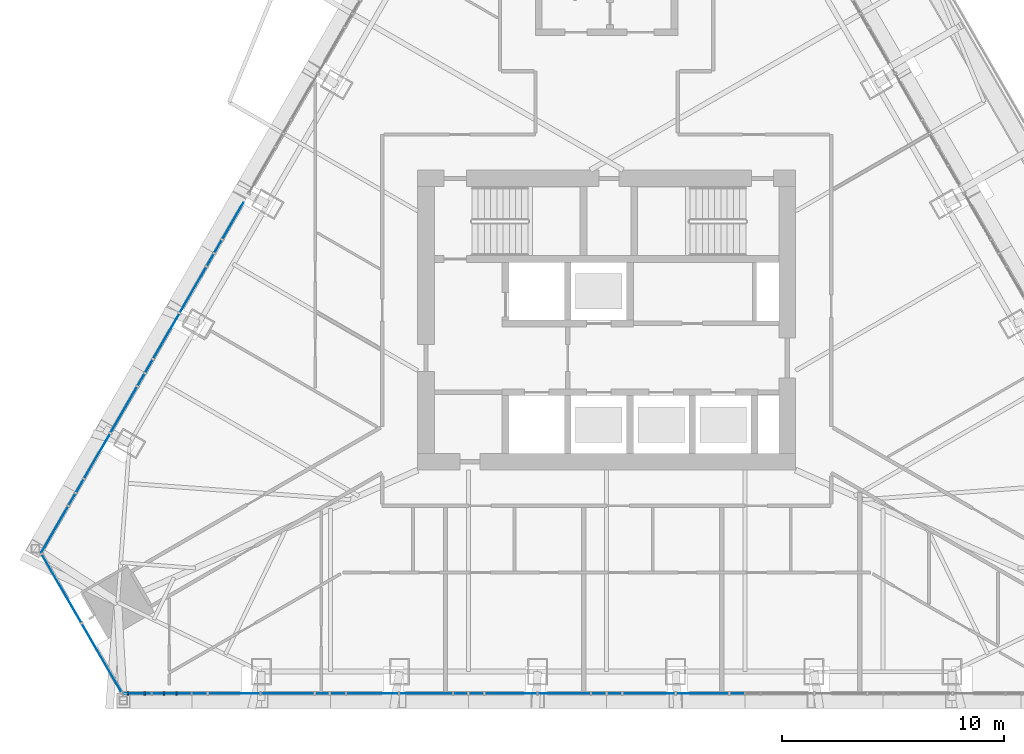
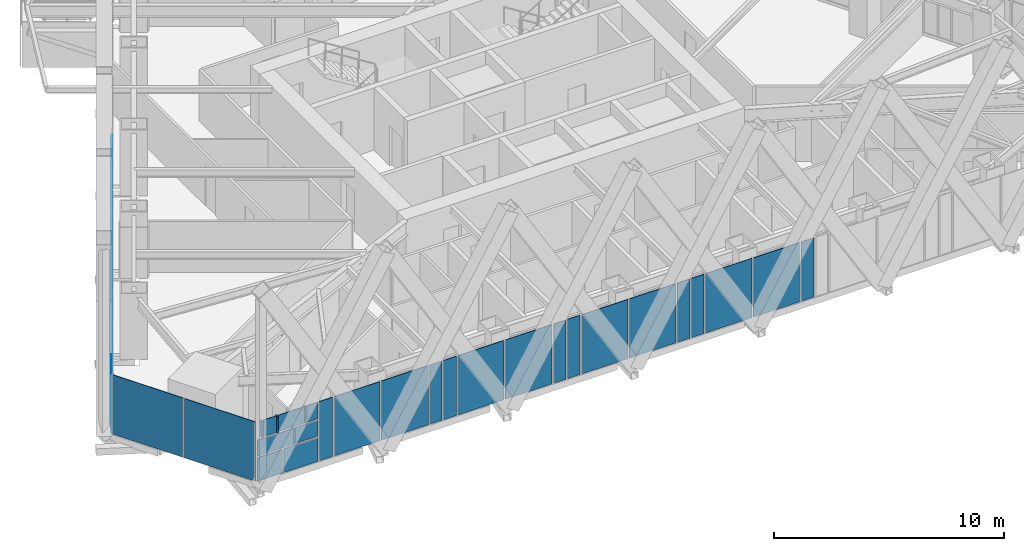
# One storey, part 9 of 23: 37 plates, 4 members, 3 elements without a shape of their own.
"""IFC4 building model written with IfcOpenShell, lengths in metres."""

from ifc_helpers import new_model, si_unit, direction, frame, origin, origin_2d, place, context, subcontext, project, spatial, polyline, rectangle, outline, extrude, material, layer, layer_set, material_profile, profile_set, type_object, element, aggregate, save


model = new_model("IFC4")

# Units and contexts
model_context = context("Model", 3, precision=1e-05, world=origin(), true_north=direction((0.0, 1.0)))
body_context = subcontext(model_context, "Body", "Model", "MODEL_VIEW")
ifc_project = project(units=[si_unit("LENGTHUNIT", "METRE"), si_unit("AREAUNIT", "SQUARE_METRE"), si_unit("VOLUMEUNIT", "CUBIC_METRE"), si_unit("PLANEANGLEUNIT", "RADIAN"), si_unit("MASSUNIT", "GRAM", prefix="KILO")], contexts=[model_context])

# Site, building, storey
site_placement = place(None, origin())
site = spatial("IfcSite", under=ifc_project, at=site_placement, CompositionType="ELEMENT")
building_placement = place(site_placement, origin())
building = spatial("IfcBuilding", under=site, at=building_placement, Name="Firuza Gate Tower and Library", CompositionType="ELEMENT")
storey_placement = place(building_placement, frame((0.0, 0.0, 291.60009765625)))
storey = spatial("IfcBuildingStorey", under=building, at=storey_placement, Name="L70", CompositionType="ELEMENT", Elevation=291.60009765625)

# Curtain wall, members
ifc_material_1 = material(Name="Aluminium 6063-T6", Category="aluminium")
ifc_layer_1 = layer(ifc_material_1, 0.14990234375)
ifc_layer_set_1 = layer_set([ifc_layer_1], Name="Unitised curtain wall, residences")
curtain_wall_type_1 = type_object("IfcCurtainWallType", Name="Unitised curtain wall, residences", PredefinedType="NOTDEFINED", material=ifc_layer_set_1)
placement = place(storey_placement, origin())
curtain_wall_1 = element("IfcCurtainWall", 1, at=placement, inside=storey, type_object=curtain_wall_type_1, Name="CW3 L70 S face", PredefinedType="NOTDEFINED")
ifc_material_2 = material(Name="Aluminium 6063-T6", Category="aluminium")
ifc_material_profile = material_profile(ifc_material_2, rectangle(XDim=0.14990234375, YDim=0.080078125, at=origin_2d()))
ifc_profile_set = profile_set([ifc_material_profile], Name="Aluminium 6063-T6")
member_type = type_object("IfcMemberType", Name="Curtain wall mullion 80x150", PredefinedType="MULLION", material=ifc_profile_set)
member_1_placement = place(storey_placement, frame((55.086669921875, 58.212646484375, 1.489990234375), z_axis=(0.0, 0.0, 1.0), x_axis=(0.0, 1.0, 0.0)))
member_1 = element("IfcMember", 2, at=member_1_placement, type_object=member_type, Name="Mullion", PredefinedType="MULLION", context=body_context, shape_type="SweptSolid", body=[
    extrude(rectangle(XDim=0.14990234375, YDim=0.080078125, at=origin_2d()), origin(), (0.0, 0.0, 1.0), 0.844970703125),
])
member_2_placement = place(storey_placement, frame((53.47607421875, 58.212646484375, 2.414794921875), z_axis=(0.0, 0.0, 1.0), x_axis=(0.0, 1.0, 0.0)))
member_2 = element("IfcMember", 3, at=member_2_placement, type_object=member_type, Name="Mullion", PredefinedType="MULLION", context=body_context, shape_type="SweptSolid", body=[
    extrude(rectangle(XDim=0.14990234375, YDim=0.080078125, at=origin_2d()), origin(), (0.0, 0.0, 1.0), 0.885009765625),
])
member_3_placement = place(storey_placement, frame((54.230712890625, 58.212646484375, 2.414794921875), z_axis=(0.0, 0.0, 1.0), x_axis=(0.0, 1.0, 0.0)))
member_3 = element("IfcMember", 4, at=member_3_placement, type_object=member_type, Name="Mullion", PredefinedType="MULLION", context=body_context, shape_type="SweptSolid", body=[
    extrude(rectangle(XDim=0.14990234375, YDim=0.080078125, at=origin_2d()), origin(), (0.0, 0.0, 1.0), 0.885009765625),
])
member_4_placement = place(storey_placement, frame((55.65771484375, 58.212646484375, 2.414794921875), z_axis=(0.0, 0.0, 1.0), x_axis=(0.0, 1.0, 0.0)))
member_4 = element("IfcMember", 5, at=member_4_placement, type_object=member_type, Name="Mullion", PredefinedType="MULLION", context=body_context, shape_type="SweptSolid", body=[
    extrude(rectangle(XDim=0.14990234375, YDim=0.080078125, at=origin_2d()), origin(), (0.0, 0.0, 1.0), 0.885009765625),
])

# Curtain wall, plates
ifc_material_3 = material(Name="Aluminium 6063-T6", Category="aluminium")
ifc_layer_2 = layer(ifc_material_3, 0.14990234375)
ifc_layer_set_2 = layer_set([ifc_layer_2], Name="Corner curtain wall, chamfers")
curtain_wall_type_2 = type_object("IfcCurtainWallType", Name="Corner curtain wall, chamfers", PredefinedType="NOTDEFINED", material=ifc_layer_set_2)
curtain_wall_2 = element("IfcCurtainWall", 6, at=placement, inside=storey, type_object=curtain_wall_type_2, Name="CW4 L70 SW corner", PredefinedType="NOTDEFINED")
ifc_material_4 = material(Name="Fritted glass", Category="glass")
ifc_layer_3 = layer(ifc_material_4, 0.030029296875)
ifc_layer_set_3 = layer_set([ifc_layer_3], Name="Fritted glass unit, corners")
plate_type_1 = type_object("IfcPlateType", Name="Fritted glass unit, corners", PredefinedType="CURTAIN_PANEL", material=ifc_layer_set_3)
plate_1_placement = place(storey_placement, frame((49.57373046875, 64.48095703125, 0.14990234375), z_axis=(-0.866016723041, -0.500015035186, 0.0), x_axis=(0.500015035186, -0.866016723041, 0.0)))
plate_1 = element("IfcPlate", 7, at=plate_1_placement, type_object=plate_type_1, Name="Glass unit", PredefinedType="CURTAIN_PANEL", context=body_context, shape_type="SweptSolid", body=[
    extrude(outline(polyline([(0.0, 0.0), (3.5633694106530625, 0.0), (3.5633694106530625, 3.14990234375), (0.0, 3.14990234375), (0.0, 0.0)])), origin(), (0.0, 0.0, -1.0), 0.030029296875),
])
plate_2_placement = place(storey_placement, frame((51.3955078125, 61.32568359375, 0.14990234375), z_axis=(-0.866046390552, -0.49996364809, 0.0), x_axis=(0.49996364809, -0.866046390552, 0.0)))
plate_2 = element("IfcPlate", 8, at=plate_2_placement, type_object=plate_type_1, Name="Glass unit", PredefinedType="CURTAIN_PANEL", context=body_context, shape_type="SweptSolid", body=[
    extrude(outline(polyline([(0.0, 0.0), (3.563247342942594, 0.0), (3.563247342942594, 3.14990234375), (0.0, 3.14990234375), (0.0, 0.0)])), origin(), (0.0, 0.0, -1.0), 0.030029296875),
])
aggregate(curtain_wall_2, [plate_1, plate_2])

# Plate
ifc_material_5 = material(Name="Fritted glass", Category="glass")
ifc_layer_4 = layer(ifc_material_5, 0.030029296875)
ifc_layer_set_4 = layer_set([ifc_layer_4], Name="Fritted glass unit, residences")
plate_type_2 = type_object("IfcPlateType", Name="Fritted glass unit, residences", PredefinedType="CURTAIN_PANEL", material=ifc_layer_set_4)
plate_3_placement = place(storey_placement, frame((54.579345703125, 58.19775390625, 0.14990234375), z_axis=(0.0, -1.0, 0.0), x_axis=(1.0, 0.0, 0.0)))
plate_3 = element("IfcPlate", 9, at=plate_3_placement, type_object=plate_type_2, Name="Glass unit", PredefinedType="CURTAIN_PANEL", context=body_context, shape_type="SweptSolid", body=[
    extrude(outline(polyline([(0.0, 0.0), (1.70361328125, 0.0), (1.70361328125, 1.260009765625), (0.0, 1.260009765625), (0.0, 0.0)])), origin(), (0.0, 0.0, -1.0), 0.030029296875),
])

plate_4_placement = place(storey_placement, frame((55.126708984375, 58.19775390625, 1.489990234375), z_axis=(0.0, -1.0, 0.0), x_axis=(1.0, 0.0, 0.0)))
plate_4 = element("IfcPlate", 10, at=plate_4_placement, type_object=plate_type_2, Name="Glass unit", PredefinedType="CURTAIN_PANEL", context=body_context, shape_type="SweptSolid", body=[
    extrude(outline(polyline([(0.0, 0.0), (1.15625, 0.0), (1.15625, 0.844970703125), (0.0, 0.844970703125), (0.0, 0.0)])), origin(), (0.0, 0.0, -1.0), 0.030029296875),
])

plate_5_placement = place(storey_placement, frame((53.51611328125, 58.19775390625, 2.414794921875), z_axis=(0.0, -1.0, 0.0), x_axis=(1.0, 0.0, 0.0)))
plate_5 = element("IfcPlate", 11, at=plate_5_placement, type_object=plate_type_2, Name="Glass unit", PredefinedType="CURTAIN_PANEL", context=body_context, shape_type="SweptSolid", body=[
    extrude(outline(polyline([(0.0, 0.0), (0.674560546875, 0.0), (0.674560546875, 0.885009765625), (0.0, 0.885009765625), (0.0, 0.0)])), origin(), (0.0, 0.0, -1.0), 0.030029296875),
])

plate_6_placement = place(storey_placement, frame((55.69775390625, 58.19775390625, 2.414794921875), z_axis=(0.0, -1.0, 0.0), x_axis=(1.0, 0.0, 0.0)))
plate_6 = element("IfcPlate", 12, at=plate_6_placement, type_object=plate_type_2, Name="Glass unit", PredefinedType="CURTAIN_PANEL", context=body_context, shape_type="SweptSolid", body=[
    extrude(outline(polyline([(0.0, 0.0), (0.585205078125, 0.0), (0.585205078125, 0.885009765625), (0.0, 0.885009765625), (0.0, 0.0)])), origin(), (0.0, 0.0, -1.0), 0.030029296875),
])

plate_7_placement = place(storey_placement, frame((56.36279296875, 58.19775390625, 0.14990234375), z_axis=(0.0, -1.0, 0.0), x_axis=(1.0, 0.0, 0.0)))
plate_7 = element("IfcPlate", 13, at=plate_7_placement, type_object=plate_type_2, Name="Glass unit", PredefinedType="CURTAIN_PANEL", context=body_context, shape_type="SweptSolid", body=[
    extrude(outline(polyline([(0.0, 0.0), (0.659423828125, 0.0), (0.659423828125, 3.14990234375), (0.0, 3.14990234375), (0.0, 0.0)])), origin(), (0.0, 0.0, -1.0), 0.030029296875),
])

plate_8_placement = place(storey_placement, frame((61.9111328125, 58.19775390625, 0.14990234375), z_axis=(0.0, -1.0, 0.0), x_axis=(1.0, 0.0, 0.0)))
plate_8 = element("IfcPlate", 14, at=plate_8_placement, type_object=plate_type_2, Name="Glass unit", PredefinedType="CURTAIN_PANEL", context=body_context, shape_type="SweptSolid", body=[
    extrude(outline(polyline([(0.0, 0.0), (0.597412109375, 0.0), (0.597412109375, 3.14990234375), (0.0, 3.14990234375), (0.0, 0.0)])), origin(), (0.0, 0.0, -1.0), 0.030029296875),
])

plate_9_placement = place(storey_placement, frame((62.588623046875, 58.19775390625, 0.14990234375), z_axis=(0.0, -1.0, 0.0), x_axis=(1.0, 0.0, 0.0)))
plate_9 = element("IfcPlate", 15, at=plate_9_placement, type_object=plate_type_2, Name="Glass unit", PredefinedType="CURTAIN_PANEL", context=body_context, shape_type="SweptSolid", body=[
    extrude(outline(polyline([(0.0, 0.0), (0.64697265625, 0.0), (0.64697265625, 3.14990234375), (0.0, 3.14990234375), (0.0, 0.0)])), origin(), (0.0, 0.0, -1.0), 0.030029296875),
])

plate_10_placement = place(storey_placement, frame((68.12451171875, 58.19775390625, 0.14990234375), z_axis=(0.0, -1.0, 0.0), x_axis=(1.0, 0.0, 0.0)))
plate_10 = element("IfcPlate", 16, at=plate_10_placement, type_object=plate_type_2, Name="Glass unit", PredefinedType="CURTAIN_PANEL", context=body_context, shape_type="SweptSolid", body=[
    extrude(outline(polyline([(0.0, 0.0), (0.60986328125, 0.0), (0.60986328125, 3.14990234375), (0.0, 3.14990234375), (0.0, 0.0)])), origin(), (0.0, 0.0, -1.0), 0.030029296875),
])

plate_11_placement = place(storey_placement, frame((68.814208984375, 58.19775390625, 0.14990234375), z_axis=(0.0, -1.0, 0.0), x_axis=(1.0, 0.0, 0.0)))
plate_11 = element("IfcPlate", 17, at=plate_11_placement, type_object=plate_type_2, Name="Glass unit", PredefinedType="CURTAIN_PANEL", context=body_context, shape_type="SweptSolid", body=[
    extrude(outline(polyline([(0.0, 0.0), (0.634765625, 0.0), (0.634765625, 3.14990234375), (0.0, 3.14990234375), (0.0, 0.0)])), origin(), (0.0, 0.0, -1.0), 0.030029296875),
])

plate_12_placement = place(storey_placement, frame((74.337890625, 58.19775390625, 0.14990234375), z_axis=(0.0, -1.0, 0.0), x_axis=(1.0, 0.0, 0.0)))
plate_12 = element("IfcPlate", 18, at=plate_12_placement, type_object=plate_type_2, Name="Glass unit", PredefinedType="CURTAIN_PANEL", context=body_context, shape_type="SweptSolid", body=[
    extrude(outline(polyline([(0.0, 0.0), (0.6220703125, 0.0), (0.6220703125, 3.14990234375), (0.0, 3.14990234375), (0.0, 0.0)])), origin(), (0.0, 0.0, -1.0), 0.030029296875),
])

plate_13_placement = place(storey_placement, frame((75.0400390625, 58.19775390625, 0.14990234375), z_axis=(0.0, -1.0, 0.0), x_axis=(1.0, 0.0, 0.0)))
plate_13 = element("IfcPlate", 19, at=plate_13_placement, type_object=plate_type_2, Name="Glass unit", PredefinedType="CURTAIN_PANEL", context=body_context, shape_type="SweptSolid", body=[
    extrude(outline(polyline([(0.0, 0.0), (0.6220703125, 0.0), (0.6220703125, 3.14990234375), (0.0, 3.14990234375), (0.0, 0.0)])), origin(), (0.0, 0.0, -1.0), 0.030029296875),
])

plate_14_placement = place(storey_placement, frame((80.551025390625, 58.19775390625, 0.14990234375), z_axis=(0.0, -1.0, 0.0), x_axis=(1.0, 0.0, 0.0)))
plate_14 = element("IfcPlate", 20, at=plate_14_placement, type_object=plate_type_2, Name="Glass unit", PredefinedType="CURTAIN_PANEL", context=body_context, shape_type="SweptSolid", body=[
    extrude(outline(polyline([(0.0, 0.0), (0.634765625, 0.0), (0.634765625, 3.14990234375), (0.0, 3.14990234375), (0.0, 0.0)])), origin(), (0.0, 0.0, -1.0), 0.030029296875),
])

# Curtain wall, plates
curtain_wall_3 = element("IfcCurtainWall", 21, at=placement, inside=storey, type_object=curtain_wall_type_1, Name="CW3 L70 W face", PredefinedType="NOTDEFINED")
plate_15_placement = place(storey_placement, frame((57.673095703125, 78.59375, 0.14990234375), z_axis=(-0.866127928132, 0.499822380561, 0.0), x_axis=(-0.499822380561, -0.866127928132, 0.0)))
plate_15 = element("IfcPlate", 22, at=plate_15_placement, type_object=plate_type_2, Name="Glass unit", PredefinedType="CURTAIN_PANEL", context=body_context, shape_type="SweptSolid", body=[
    extrude(outline(polyline([(0.0, 0.0), (0.634502743792482, 0.0), (0.634502743792482, 3.14990234375), (0.0, 3.14990234375), (0.0, 0.0)])), origin(), (0.0, 0.0, -1.0), 0.030029296875),
])
plate_16_placement = place(storey_placement, frame((57.31591796875, 77.974853515625, 0.14990234375), z_axis=(-0.865992225662, 0.50005746179, 0.0), x_axis=(-0.50005746179, -0.865992225662, 0.0)))
plate_16 = element("IfcPlate", 23, at=plate_16_placement, type_object=plate_type_2, Name="Glass unit", PredefinedType="CURTAIN_PANEL", context=body_context, shape_type="SweptSolid", body=[
    extrude(outline(polyline([(0.0, 0.0), (0.609793201631839, 0.0), (0.609793201631839, 3.14990234375), (0.0, 3.14990234375), (0.0, 0.0)])), origin(), (0.0, 0.0, -1.0), 0.030029296875),
])
plate_17_placement = place(storey_placement, frame((54.56640625, 73.212890625, 0.14990234375), z_axis=(-0.866028486751, 0.499994660107, 0.0), x_axis=(-0.499994660107, -0.866028486751, 0.0)))
plate_17 = element("IfcPlate", 24, at=plate_17_placement, type_object=plate_type_2, Name="Glass unit", PredefinedType="CURTAIN_PANEL", context=body_context, shape_type="SweptSolid", body=[
    extrude(outline(polyline([(0.0, 0.0), (0.6469795658534333, 0.0), (0.6469795658534333, 3.14990234375), (0.0, 3.14990234375), (0.0, 0.0)])), origin(), (0.0, 0.0, -1.0), 0.030029296875),
])
plate_18_placement = place(storey_placement, frame((54.203125, 72.583251953125, 0.14990234375), z_axis=(-0.86592013909, 0.500182279493, 0.0), x_axis=(-0.500182279493, -0.86592013909, 0.0)))
plate_18 = element("IfcPlate", 25, at=plate_18_placement, type_object=plate_type_2, Name="Glass unit", PredefinedType="CURTAIN_PANEL", context=body_context, shape_type="SweptSolid", body=[
    extrude(outline(polyline([(0.0, 0.0), (0.5974384484449661, 0.0), (0.5974384484449661, 3.14990234375), (0.0, 3.14990234375), (0.0, 0.0)])), origin(), (0.0, 0.0, -1.0), 0.030029296875),
])
plate_19_placement = place(storey_placement, frame((51.459716796875, 67.83203125, 0.14990234375), z_axis=(-0.866093103087, 0.49988272303, 0.0), x_axis=(-0.49988272303, -0.866093103087, 0.0)))
plate_19 = element("IfcPlate", 26, at=plate_19_placement, type_object=plate_type_2, Name="Glass unit", PredefinedType="CURTAIN_PANEL", context=body_context, shape_type="SweptSolid", body=[
    extrude(outline(polyline([(0.0, 0.0), (0.6593343369659844, 0.0), (0.6593343369659844, 3.14990234375), (0.0, 3.14990234375), (0.0, 0.0)])), origin(), (0.0, 0.0, -1.0), 0.030029296875),
])
plate_20_placement = place(storey_placement, frame((51.090087890625, 67.191650390625, 0.14990234375), z_axis=(-0.866025730634, 0.499999433879, 0.0), x_axis=(-0.499999433879, -0.866025730634, 0.0)))
plate_20 = element("IfcPlate", 27, at=plate_20_placement, type_object=plate_type_2, Name="Glass unit", PredefinedType="CURTAIN_PANEL", context=body_context, shape_type="SweptSolid", body=[
    extrude(outline(polyline([(0.0, 0.0), (0.5849615998176811, 0.0), (0.5849615998176811, 3.149902343750001), (0.0, 3.149902343750001), (0.0, 0.0)])), origin(), (0.0, 0.0, -1.0), 0.030029296875),
])

# Plate
ifc_material_6 = material(Name="Glazed ceramic tile")
ifc_layer_5 = layer(ifc_material_6, 0.030029296875)
ifc_layer_set_5 = layer_set([ifc_layer_5], Name="Opaque ceramic panel, residences")
plate_type_3 = type_object("IfcPlateType", Name="Opaque ceramic panel, residences", PredefinedType="CURTAIN_PANEL", material=ifc_layer_set_5)
plate_21_placement = place(storey_placement, frame((53.25, 58.19775390625, 0.14990234375), z_axis=(0.0, -1.0, 0.0), x_axis=(1.0, 0.0, 0.0)))
plate_21 = element("IfcPlate", 28, at=plate_21_placement, type_object=plate_type_3, Name="Opaque ceramic panel", PredefinedType="CURTAIN_PANEL", context=body_context, shape_type="SweptSolid", body=[
    extrude(outline(polyline([(0.0, 0.0), (1.249267578125, 0.0), (1.249267578125, 1.260009765625), (0.0, 1.260009765625), (0.0, 0.0)])), origin(), (0.0, 0.0, -1.0), 0.030029296875),
])

plate_22_placement = place(storey_placement, frame((53.25, 58.19775390625, 1.489990234375), z_axis=(0.0, -1.0, 0.0), x_axis=(1.0, 0.0, 0.0)))
plate_22 = element("IfcPlate", 29, at=plate_22_placement, type_object=plate_type_3, Name="Opaque ceramic panel", PredefinedType="CURTAIN_PANEL", context=body_context, shape_type="SweptSolid", body=[
    extrude(outline(polyline([(0.0, 0.0), (1.796630859375, 0.0), (1.796630859375, 0.844970703125), (0.0, 0.844970703125), (0.0, 0.0)])), origin(), (0.0, 0.0, -1.0), 0.030029296875),
])

plate_23_placement = place(storey_placement, frame((54.270751953125, 58.19775390625, 2.414794921875), z_axis=(0.0, -1.0, 0.0), x_axis=(1.0, 0.0, 0.0)))
plate_23 = element("IfcPlate", 30, at=plate_23_placement, type_object=plate_type_3, Name="Opaque ceramic panel", PredefinedType="CURTAIN_PANEL", context=body_context, shape_type="SweptSolid", body=[
    extrude(outline(polyline([(0.0, 0.0), (1.346923828125, 0.0), (1.346923828125, 0.885009765625), (0.0, 0.885009765625), (0.0, 0.0)])), origin(), (0.0, 0.0, -1.0), 0.030029296875),
])

plate_24_placement = place(storey_placement, frame((57.102294921875, 58.19775390625, 0.14990234375), z_axis=(0.0, -1.0, 0.0), x_axis=(1.0, 0.0, 0.0)))
plate_24 = element("IfcPlate", 31, at=plate_24_placement, type_object=plate_type_3, Name="Opaque ceramic panel", PredefinedType="CURTAIN_PANEL", context=body_context, shape_type="SweptSolid", body=[
    extrude(outline(polyline([(0.0, 0.0), (2.29345703125, 0.0), (2.29345703125, 3.14990234375), (0.0, 3.14990234375), (0.0, 0.0)])), origin(), (0.0, 0.0, -1.0), 0.030029296875),
])

plate_25_placement = place(storey_placement, frame((59.475830078125, 58.19775390625, 0.14990234375), z_axis=(0.0, -1.0, 0.0), x_axis=(1.0, 0.0, 0.0)))
plate_25 = element("IfcPlate", 32, at=plate_25_placement, type_object=plate_type_3, Name="Opaque ceramic panel", PredefinedType="CURTAIN_PANEL", context=body_context, shape_type="SweptSolid", body=[
    extrude(outline(polyline([(0.0, 0.0), (2.355224609375, 0.0), (2.355224609375, 3.14990234375), (0.0, 3.14990234375), (0.0, 0.0)])), origin(), (0.0, 0.0, -1.0), 0.030029296875),
])

plate_26_placement = place(storey_placement, frame((63.3154296875, 58.19775390625, 0.14990234375), z_axis=(0.0, -1.0, 0.0), x_axis=(1.0, 0.0, 0.0)))
plate_26 = element("IfcPlate", 33, at=plate_26_placement, type_object=plate_type_3, Name="Opaque ceramic panel", PredefinedType="CURTAIN_PANEL", context=body_context, shape_type="SweptSolid", body=[
    extrude(outline(polyline([(0.0, 0.0), (2.305908203125, 0.0), (2.305908203125, 3.14990234375), (0.0, 3.14990234375), (0.0, 0.0)])), origin(), (0.0, 0.0, -1.0), 0.030029296875),
])

plate_27_placement = place(storey_placement, frame((65.701416015625, 58.19775390625, 0.14990234375), z_axis=(0.0, -1.0, 0.0), x_axis=(1.0, 0.0, 0.0)))
plate_27 = element("IfcPlate", 34, at=plate_27_placement, type_object=plate_type_3, Name="Opaque ceramic panel", PredefinedType="CURTAIN_PANEL", context=body_context, shape_type="SweptSolid", body=[
    extrude(outline(polyline([(0.0, 0.0), (2.343017578125, 0.0), (2.343017578125, 3.14990234375), (0.0, 3.14990234375), (0.0, 0.0)])), origin(), (0.0, 0.0, -1.0), 0.030029296875),
])

plate_28_placement = place(storey_placement, frame((69.52880859375, 58.19775390625, 0.14990234375), z_axis=(0.0, -1.0, 0.0), x_axis=(1.0, 0.0, 0.0)))
plate_28 = element("IfcPlate", 35, at=plate_28_placement, type_object=plate_type_3, Name="Opaque ceramic panel", PredefinedType="CURTAIN_PANEL", context=body_context, shape_type="SweptSolid", body=[
    extrude(outline(polyline([(0.0, 0.0), (2.318359375, 0.0), (2.318359375, 3.14990234375), (0.0, 3.14990234375), (0.0, 0.0)])), origin(), (0.0, 0.0, -1.0), 0.030029296875),
])

plate_29_placement = place(storey_placement, frame((71.92724609375, 58.19775390625, 0.14990234375), z_axis=(0.0, -1.0, 0.0), x_axis=(1.0, 0.0, 0.0)))
plate_29 = element("IfcPlate", 36, at=plate_29_placement, type_object=plate_type_3, Name="Opaque ceramic panel", PredefinedType="CURTAIN_PANEL", context=body_context, shape_type="SweptSolid", body=[
    extrude(outline(polyline([(0.0, 0.0), (2.33056640625, 0.0), (2.33056640625, 3.14990234375), (0.0, 3.14990234375), (0.0, 0.0)])), origin(), (0.0, 0.0, -1.0), 0.030029296875),
])

plate_30_placement = place(storey_placement, frame((75.7421875, 58.19775390625, 0.14990234375), z_axis=(0.0, -1.0, 0.0), x_axis=(1.0, 0.0, 0.0)))
plate_30 = element("IfcPlate", 37, at=plate_30_placement, type_object=plate_type_3, Name="Opaque ceramic panel", PredefinedType="CURTAIN_PANEL", context=body_context, shape_type="SweptSolid", body=[
    extrude(outline(polyline([(0.0, 0.0), (2.33056640625, 0.0), (2.33056640625, 3.14990234375), (0.0, 3.14990234375), (0.0, 0.0)])), origin(), (0.0, 0.0, -1.0), 0.030029296875),
])

plate_31_placement = place(storey_placement, frame((78.15283203125, 58.19775390625, 0.14990234375), z_axis=(0.0, -1.0, 0.0), x_axis=(1.0, 0.0, 0.0)))
plate_31 = element("IfcPlate", 38, at=plate_31_placement, type_object=plate_type_3, Name="Opaque ceramic panel", PredefinedType="CURTAIN_PANEL", context=body_context, shape_type="SweptSolid", body=[
    extrude(outline(polyline([(0.0, 0.0), (2.318359375, 0.0), (2.318359375, 3.14990234375), (0.0, 3.14990234375), (0.0, 0.0)])), origin(), (0.0, 0.0, -1.0), 0.030029296875),
])

aggregate(curtain_wall_1, [plate_21, plate_3, plate_22, plate_4, plate_5, plate_23, plate_6, member_1, member_2, member_3, member_4, plate_7, plate_24, plate_25, plate_8, plate_9, plate_26, plate_27, plate_10, plate_11, plate_28, plate_29, plate_12, plate_13, plate_30, plate_31, plate_14])

plate_32_placement = place(storey_placement, frame((58.65185546875, 80.2890625, 0.14990234375), z_axis=(-0.86603400694, 0.499985098601, 0.0), x_axis=(-0.499985098601, -0.86603400694, 0.0)))
plate_32 = element("IfcPlate", 39, at=plate_32_placement, type_object=plate_type_3, Name="Opaque ceramic panel", PredefinedType="CURTAIN_PANEL", context=body_context, shape_type="SweptSolid", body=[
    extrude(outline(polyline([(0.0, 0.0), (1.8774973609235277, 0.0), (1.8774973609235277, 3.14990234375), (0.0, 3.14990234375), (0.0, 0.0)])), origin(), (0.0, 0.0, -1.0), 0.030029296875),
])

plate_33_placement = place(storey_placement, frame((56.970947265625, 77.37744140625, 0.14990234375), z_axis=(-0.866041560861, 0.499972014079, 0.0), x_axis=(-0.499972014079, -0.866041560861, 0.0)))
plate_33 = element("IfcPlate", 40, at=plate_33_placement, type_object=plate_type_3, Name="Opaque ceramic panel", PredefinedType="CURTAIN_PANEL", context=body_context, shape_type="SweptSolid", body=[
    extrude(outline(polyline([(0.0, 0.0), (2.342904574185333, 0.0), (2.342904574185333, 3.1499023437499996), (0.0, 3.1499023437499996), (0.0, 0.0)])), origin(), (0.0, 0.0, -1.0), 0.030029296875),
])

plate_34_placement = place(storey_placement, frame((55.759521484375, 75.279052734375, 0.14990234375), z_axis=(-0.865986332649, 0.500067667087, 0.0), x_axis=(-0.500067667087, -0.865986332649, 0.0)))
plate_34 = element("IfcPlate", 41, at=plate_34_placement, type_object=plate_type_3, Name="Opaque ceramic panel", PredefinedType="CURTAIN_PANEL", context=body_context, shape_type="SweptSolid", body=[
    extrude(outline(polyline([(0.0, 0.0), (2.305840284761907, 0.0), (2.305840284761907, 3.14990234375), (0.0, 3.14990234375), (0.0, 0.0)])), origin(), (0.0, 0.0, -1.0), 0.030029296875),
])

plate_35_placement = place(storey_placement, frame((53.8642578125, 71.99658203125, 0.14990234375), z_axis=(-0.866014699009, 0.500018540756, 0.0), x_axis=(-0.500018540756, -0.866014699009, 0.0)))
plate_35 = element("IfcPlate", 42, at=plate_35_placement, type_object=plate_type_3, Name="Opaque ceramic panel", PredefinedType="CURTAIN_PANEL", context=body_context, shape_type="SweptSolid", body=[
    extrude(outline(polyline([(0.0, 0.0), (2.3553814088940412, 0.0), (2.3553814088940412, 3.14990234375), (0.0, 3.14990234375), (0.0, 0.0)])), origin(), (0.0, 0.0, -1.0), 0.030029296875),
])

plate_36_placement = place(storey_placement, frame((52.646484375, 69.887451171875, 0.14990234375), z_axis=(-0.86601362312, 0.500020404154, 0.0), x_axis=(-0.500020404154, -0.86601362312, 0.0)))
plate_36 = element("IfcPlate", 43, at=plate_36_placement, type_object=plate_type_3, Name="Opaque ceramic panel", PredefinedType="CURTAIN_PANEL", context=body_context, shape_type="SweptSolid", body=[
    extrude(outline(polyline([(0.0, 0.0), (2.2933634429672045, 0.0), (2.2933634429672045, 3.14990234375), (0.0, 3.14990234375), (0.0, 0.0)])), origin(), (0.0, 0.0, -1.0), 0.030029296875),
])

plate_37_placement = place(storey_placement, frame((50.757568359375, 66.61572265625, 0.14990234375), z_axis=(-0.866032766724, 0.499987246797, 0.0), x_axis=(-0.499987246797, -0.866032766724, 0.0)))
plate_37 = element("IfcPlate", 44, at=plate_37_placement, type_object=plate_type_3, Name="Opaque ceramic panel", PredefinedType="CURTAIN_PANEL", context=body_context, shape_type="SweptSolid", body=[
    extrude(outline(polyline([(0.0, 0.0), (2.36773617369069, 0.0), (2.36773617369069, 3.14990234375), (0.0, 3.14990234375), (0.0, 0.0)])), origin(), (0.0, 0.0, -1.0), 0.030029296875),
])

aggregate(curtain_wall_3, [plate_32, plate_15, plate_16, plate_33, plate_34, plate_17, plate_18, plate_35, plate_36, plate_19, plate_20, plate_37])

save(model, "model.ifc")
